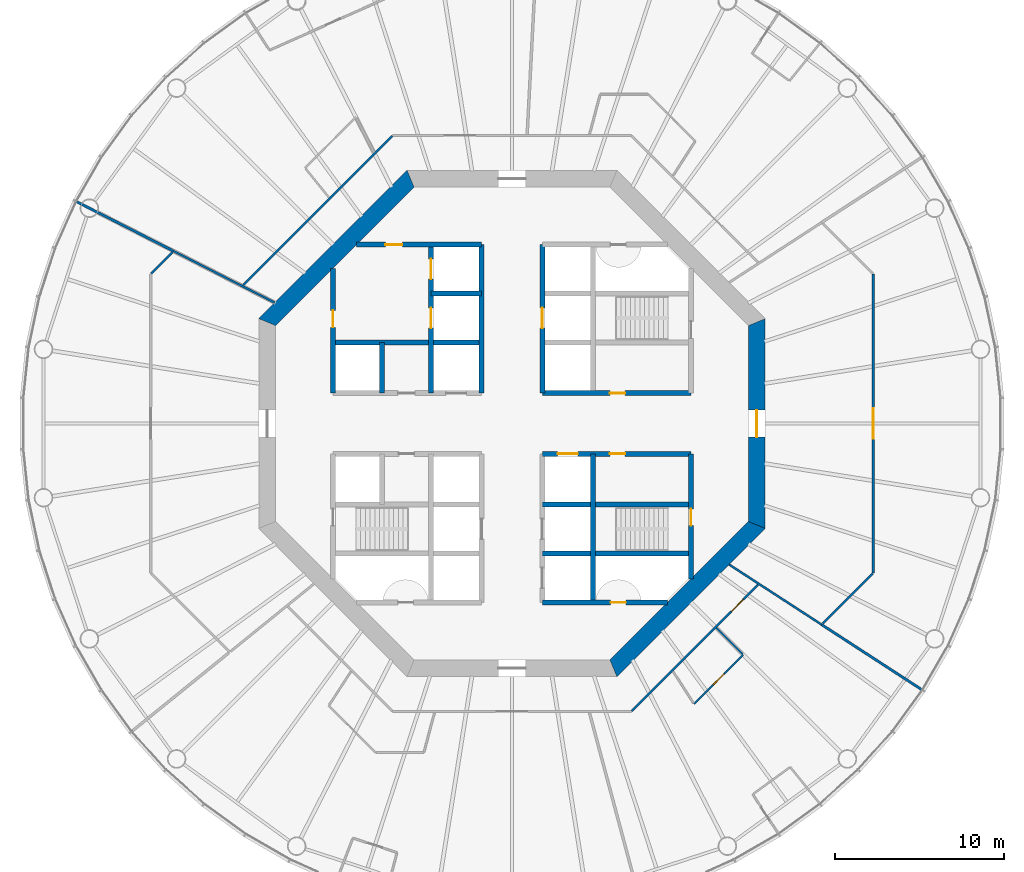
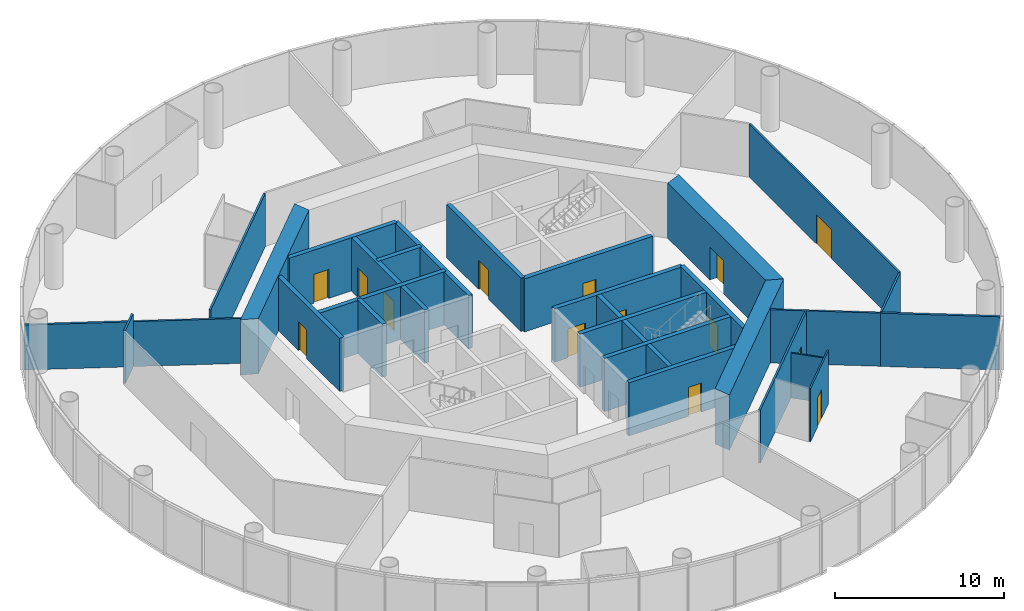
# One storey, part 4 of 13: 29 walls, 14 doors, 14 openings.
"""IFC4 building model written with IfcOpenShell, lengths in metres."""

from ifc_helpers import new_model, si_unit, direction, frame, frame_2d, origin, place, context, subcontext, project, spatial, polyline, rectangle, outline, extrude, material, layer, layer_set, type_object, element, fill, save


model = new_model("IFC4")

# Units and contexts
model_context = context("Model", 3, precision=1e-05, world=origin(), true_north=direction((0.0, 1.0)))
body_context = subcontext(model_context, "Body", "Model", "MODEL_VIEW")
ifc_project = project(units=[si_unit("LENGTHUNIT", "METRE"), si_unit("AREAUNIT", "SQUARE_METRE"), si_unit("VOLUMEUNIT", "CUBIC_METRE"), si_unit("PLANEANGLEUNIT", "RADIAN"), si_unit("MASSUNIT", "GRAM", prefix="KILO")], contexts=[model_context])

# Site, building, storey
site_placement = place(None, origin())
site = spatial("IfcSite", under=ifc_project, at=site_placement, CompositionType="ELEMENT")
building_placement = place(site_placement, origin())
building = spatial("IfcBuilding", under=site, at=building_placement, Name="Entoto Ring Tower", CompositionType="ELEMENT")
storey_placement = place(building_placement, frame((0.0, 0.0, 168.0)))
storey = spatial("IfcBuildingStorey", under=building, at=storey_placement, Name="L38", CompositionType="ELEMENT", Elevation=168.0)

# Wall, opening, door
ifc_material_1 = material(Name="Concrete C40/50", Category="concrete")
ifc_layer_1 = layer(ifc_material_1, 0.300048828125)
ifc_layer_set_1 = layer_set([ifc_layer_1], Name="Concrete C40/50")
wall_type_1 = type_object("IfcWallType", Name="Core enclosure wall 300 mm reinforced concrete", PredefinedType="SOLIDWALL", material=ifc_layer_set_1)
wall_1_placement = place(storey_placement, frame((100.60009765625, 70.801025390625, 0.0), z_axis=(0.0, 0.0, 1.0), x_axis=(0.0, 1.0, 0.0)))
wall_1 = element("IfcWall", 1, at=wall_1_placement, inside=storey, type_object=wall_type_1, Name="wall-L38-001", PredefinedType="SOLIDWALL", context=body_context, shape_type="SweptSolid", body=[
    extrude(rectangle(XDim=7.39892578125, YDim=0.300048828125, at=frame_2d((3.699462890625, 0.0))), origin(), (0.0, 0.0, 1.0), 3.85009765625),
])
opening_1_placement = place(wall_1_placement, frame((3.14892578125, 0.0, 0.0)))
opening_1 = element("IfcOpeningElement", 2, at=opening_1_placement, cuts=wall_1, Name="Opening K-17", PredefinedType="OPENING", context=body_context, shape_type="SweptSolid", body=[
    extrude(rectangle(XDim=1.0, YDim=2.10009765625, at=frame_2d((0.5, 1.050048828125))), frame((0.0, 0.16015625, 0.0), z_axis=(0.0, -1.0, 0.0), x_axis=(1.0, 0.0, 0.0)), (0.0, 0.0, 1.0), 0.320068359375),
])
ifc_material_2 = material(Name="Steel door leaf, fire rated", Category="steel")
ifc_layer_2 = layer(ifc_material_2, 0.050048828125)
ifc_layer_set_2 = layer_set([ifc_layer_2], Name="Steel door leaf, fire rated")
door_type_1 = type_object("IfcDoorType", Name="Fire door FD60 1000 x 2100 single leaf", OperationType="NOTDEFINED", PredefinedType="DOOR", material=ifc_layer_set_2)
door_1_placement = place(opening_1_placement, origin())
door_1 = element("IfcDoor", 3, at=door_1_placement, inside=storey, type_object=door_type_1, Name="Door K-17", OperationType="SINGLE_SWING_RIGHT", OverallHeight=2.10009765625, OverallWidth=1.0, PredefinedType="DOOR", context=body_context, shape_type="SweptSolid", body=[
    extrude(rectangle(XDim=1.0, YDim=2.10009765625, at=frame_2d((0.5, 1.050048828125))), frame((0.0, 0.02490234375, 0.0), z_axis=(0.0, -1.0, 0.0), x_axis=(1.0, 0.0, 0.0)), (0.0, 0.0, 1.0), 0.050048828125),
])
fill(opening_1, door_1)

# Wall
wall_2_placement = place(storey_placement, frame((94.800048828125, 69.39990234375, 0.0), z_axis=(0.0, 0.0, 1.0), x_axis=(0.0, 1.0, 0.0)))
element("IfcWall", 4, at=wall_2_placement, inside=storey, type_object=wall_type_1, Name="wall-L38-003", PredefinedType="SOLIDWALL", context=body_context, shape_type="SweptSolid", body=[
    extrude(rectangle(XDim=8.800048828125, YDim=0.300048828125, at=frame_2d((4.39990234375, 0.0))), origin(), (0.0, 0.0, 1.0), 3.85009765625),
])

# Wall, opening, door
wall_3_placement = place(storey_placement, frame((91.800048828125, 81.800048828125, 0.0), z_axis=(0.0, 0.0, 1.0), x_axis=(0.0, 1.0, 0.0)))
wall_3 = element("IfcWall", 5, at=wall_3_placement, inside=storey, type_object=wall_type_1, Name="wall-L38-006", PredefinedType="SOLIDWALL", context=body_context, shape_type="SweptSolid", body=[
    extrude(rectangle(XDim=8.800048828125, YDim=0.300048828125, at=frame_2d((4.39990234375, 0.0))), origin(), (0.0, 0.0, 1.0), 3.85009765625),
])
opening_2_placement = place(wall_3_placement, frame((3.85009765625, 0.0, 0.0)))
opening_2 = element("IfcOpeningElement", 6, at=opening_2_placement, cuts=wall_3, Name="Opening LD", PredefinedType="OPENING", context=body_context, shape_type="SweptSolid", body=[
    extrude(rectangle(XDim=1.199951171875, YDim=2.10009765625, at=frame_2d((0.60009765625, 1.050048828125))), frame((0.0, 0.16015625, 0.0), z_axis=(0.0, -1.0, 0.0), x_axis=(1.0, 0.0, 0.0)), (0.0, 0.0, 1.0), 0.320068359375),
])
ifc_material_3 = material(Name="Steel and glass door leaf", Category="steel")
ifc_layer_3 = layer(ifc_material_3, 0.050048828125)
ifc_layer_set_3 = layer_set([ifc_layer_3], Name="Steel and glass door leaf")
door_type_2 = type_object("IfcDoorType", Name="Landing door 1200 x 2100 sliding", OperationType="DOUBLE_DOOR_SLIDING", PredefinedType="DOOR", material=ifc_layer_set_3)
door_2_placement = place(opening_2_placement, origin())
door_2 = element("IfcDoor", 7, at=door_2_placement, inside=storey, type_object=door_type_2, Name="Landing door LB1-MR", OperationType="SLIDING_TO_RIGHT", OverallHeight=2.10009765625, OverallWidth=1.199951171875, PredefinedType="DOOR", context=body_context, shape_type="SweptSolid", body=[
    extrude(rectangle(XDim=1.199951171875, YDim=2.10009765625, at=frame_2d((0.60009765625, 1.050048828125))), frame((0.0, 0.02490234375, 0.0), z_axis=(0.0, -1.0, 0.0), x_axis=(1.0, 0.0, 0.0)), (0.0, 0.0, 1.0), 0.050048828125),
])
fill(opening_2, door_2)

# Wall
wall_4_placement = place(storey_placement, frame((88.199951171875, 81.800048828125, 0.0), z_axis=(0.0, 0.0, 1.0), x_axis=(0.0, 1.0, 0.0)))
element("IfcWall", 8, at=wall_4_placement, inside=storey, type_object=wall_type_1, Name="wall-L38-008", PredefinedType="SOLIDWALL", context=body_context, shape_type="SweptSolid", body=[
    extrude(rectangle(XDim=8.800048828125, YDim=0.300048828125, at=frame_2d((4.39990234375, 0.0))), origin(), (0.0, 0.0, 1.0), 3.85009765625),
])

# Wall, openings, doors
wall_5_placement = place(storey_placement, frame((85.199951171875, 81.800048828125, 0.0), z_axis=(0.0, 0.0, 1.0), x_axis=(0.0, 1.0, 0.0)))
wall_5 = element("IfcWall", 9, at=wall_5_placement, inside=storey, type_object=wall_type_1, Name="wall-L38-010", PredefinedType="SOLIDWALL", context=body_context, shape_type="SweptSolid", body=[
    extrude(rectangle(XDim=8.800048828125, YDim=0.300048828125, at=frame_2d((4.39990234375, 0.0))), origin(), (0.0, 0.0, 1.0), 3.85009765625),
])
opening_3_placement = place(wall_5_placement, frame((3.85009765625, 0.0, 0.0)))
opening_3 = element("IfcOpeningElement", 10, at=opening_3_placement, cuts=wall_5, Name="Opening LD", PredefinedType="OPENING", context=body_context, shape_type="SweptSolid", body=[
    extrude(rectangle(XDim=1.199951171875, YDim=2.10009765625, at=frame_2d((0.60009765625, 1.050048828125))), frame((0.0, 0.16015625, 0.0), z_axis=(0.0, -1.0, 0.0), x_axis=(1.0, 0.0, 0.0)), (0.0, 0.0, 1.0), 0.320068359375),
])
opening_4_placement = place(wall_5_placement, frame((6.75, 0.0, 0.0)))
opening_4 = element("IfcOpeningElement", 11, at=opening_4_placement, cuts=wall_5, Name="Opening LD", PredefinedType="OPENING", context=body_context, shape_type="SweptSolid", body=[
    extrude(rectangle(XDim=1.199951171875, YDim=2.10009765625, at=frame_2d((0.60009765625, 1.050048828125))), frame((0.0, 0.16015625, 0.0), z_axis=(0.0, -1.0, 0.0), x_axis=(1.0, 0.0, 0.0)), (0.0, 0.0, 1.0), 0.320068359375),
])
door_3_placement = place(opening_3_placement, origin())
door_3 = element("IfcDoor", 12, at=door_3_placement, inside=storey, type_object=door_type_2, Name="Landing door FF1", OperationType="SLIDING_TO_RIGHT", OverallHeight=2.10009765625, OverallWidth=1.199951171875, PredefinedType="DOOR", context=body_context, shape_type="SweptSolid", body=[
    extrude(rectangle(XDim=1.199951171875, YDim=2.10009765625, at=frame_2d((0.60009765625, 1.050048828125))), frame((0.0, 0.02490234375, 0.0), z_axis=(0.0, -1.0, 0.0), x_axis=(1.0, 0.0, 0.0)), (0.0, 0.0, 1.0), 0.050048828125),
])
fill(opening_3, door_3)
door_4_placement = place(opening_4_placement, origin())
door_4 = element("IfcDoor", 13, at=door_4_placement, inside=storey, type_object=door_type_2, Name="Landing door FF2", OperationType="SLIDING_TO_RIGHT", OverallHeight=2.10009765625, OverallWidth=1.199951171875, PredefinedType="DOOR", context=body_context, shape_type="SweptSolid", body=[
    extrude(rectangle(XDim=1.199951171875, YDim=2.10009765625, at=frame_2d((0.60009765625, 1.050048828125))), frame((0.0, 0.02490234375, 0.0), z_axis=(0.0, -1.0, 0.0), x_axis=(1.0, 0.0, 0.0)), (0.0, 0.0, 1.0), 0.050048828125),
])
fill(opening_4, door_4)

# Wall
wall_6_placement = place(storey_placement, frame((82.300048828125, 81.800048828125, 0.0), z_axis=(0.0, 0.0, 1.0), x_axis=(0.0, 1.0, 0.0)))
element("IfcWall", 14, at=wall_6_placement, inside=storey, type_object=wall_type_1, Name="wall-L38-012", PredefinedType="SOLIDWALL", context=body_context, shape_type="SweptSolid", body=[
    extrude(rectangle(XDim=3.0, YDim=0.300048828125, at=frame_2d((1.5, 0.0))), origin(), (0.0, 0.0, 1.0), 3.85009765625),
])

# Wall, opening, door
wall_7_placement = place(storey_placement, frame((79.39990234375, 81.800048828125, 0.0), z_axis=(0.0, 0.0, 1.0), x_axis=(0.0, 1.0, 0.0)))
wall_7 = element("IfcWall", 15, at=wall_7_placement, inside=storey, type_object=wall_type_1, Name="wall-L38-014", PredefinedType="SOLIDWALL", context=body_context, shape_type="SweptSolid", body=[
    extrude(rectangle(XDim=7.39892578125, YDim=0.300048828125, at=frame_2d((3.699462890625, 0.0))), origin(), (0.0, 0.0, 1.0), 3.85009765625),
])
opening_5_placement = place(wall_7_placement, frame((3.89990234375, 0.0, 0.0)))
opening_5 = element("IfcOpeningElement", 16, at=opening_5_placement, cuts=wall_7, Name="Opening K-67", PredefinedType="OPENING", context=body_context, shape_type="SweptSolid", body=[
    extrude(rectangle(XDim=1.0, YDim=2.10009765625, at=frame_2d((0.5, 1.050048828125))), frame((0.0, 0.16015625, 0.0), z_axis=(0.0, -1.0, 0.0), x_axis=(1.0, 0.0, 0.0)), (0.0, 0.0, 1.0), 0.320068359375),
])
door_5_placement = place(opening_5_placement, frame((1.0, 0.0, 0.0), z_axis=(0.0, 0.0, 1.0), x_axis=(-1.0, 0.0, 0.0)))
door_5 = element("IfcDoor", 17, at=door_5_placement, inside=storey, type_object=door_type_1, Name="Door K-67", OperationType="SINGLE_SWING_RIGHT", OverallHeight=2.10009765625, OverallWidth=1.0, PredefinedType="DOOR", context=body_context, shape_type="SweptSolid", body=[
    extrude(rectangle(XDim=1.0, YDim=2.10009765625, at=frame_2d((0.5, 1.050048828125))), frame((0.0, 0.02490234375, 0.0), z_axis=(0.0, -1.0, 0.0), x_axis=(1.0, 0.0, 0.0)), (0.0, 0.0, 1.0), 0.050048828125),
])
fill(opening_5, door_5)

wall_8_placement = place(storey_placement, frame((91.800048828125, 69.39990234375, 0.0), z_axis=(0.0, 0.0, 1.0), x_axis=(1.0, 0.0, 0.0)))
wall_8 = element("IfcWall", 18, at=wall_8_placement, inside=storey, type_object=wall_type_1, Name="wall-L38-016", PredefinedType="SOLIDWALL", context=body_context, shape_type="SweptSolid", body=[
    extrude(rectangle(XDim=7.39892578125, YDim=0.300048828125, at=frame_2d((3.699462890625, 0.0))), origin(), (0.0, 0.0, 1.0), 3.85009765625),
])
opening_6_placement = place(wall_8_placement, frame((4.050048828125, 0.0, 0.0)))
opening_6 = element("IfcOpeningElement", 19, at=opening_6_placement, cuts=wall_8, Name="Opening K-20", PredefinedType="OPENING", context=body_context, shape_type="SweptSolid", body=[
    extrude(rectangle(XDim=0.89990234375, YDim=2.10009765625, at=frame_2d((0.449951171875, 1.050048828125))), frame((0.0, 0.16015625, 0.0), z_axis=(0.0, -1.0, 0.0), x_axis=(1.0, 0.0, 0.0)), (0.0, 0.0, 1.0), 0.320068359375),
])
ifc_material_4 = material(Name="Steel door leaf, fire rated", Category="steel")
ifc_layer_4 = layer(ifc_material_4, 0.050048828125)
ifc_layer_set_4 = layer_set([ifc_layer_4], Name="Steel door leaf, fire rated")
door_type_3 = type_object("IfcDoorType", Name="Riser door FD60 900 x 2100 single leaf", OperationType="NOTDEFINED", PredefinedType="DOOR", material=ifc_layer_set_4)
door_6_placement = place(opening_6_placement, origin())
door_6 = element("IfcDoor", 20, at=door_6_placement, inside=storey, type_object=door_type_3, Name="Door K-20", OperationType="SINGLE_SWING_LEFT", OverallHeight=2.10009765625, OverallWidth=0.89990234375, PredefinedType="DOOR", context=body_context, shape_type="SweptSolid", body=[
    extrude(rectangle(XDim=0.89990234375, YDim=2.10009765625, at=frame_2d((0.449951171875, 1.050048828125))), frame((0.0, 0.02490234375, 0.0), z_axis=(0.0, -1.0, 0.0), x_axis=(1.0, 0.0, 0.0)), (0.0, 0.0, 1.0), 0.050048828125),
])
fill(opening_6, door_6)

# Walls
for number, where, z_axis, x_axis, name in (
    (21, (91.800048828125, 72.300048828125, 0.0), (0.0, 0.0, 1.0), (1.0, 0.0, 0.0), "wall-L38-018"),
    (22, (91.800048828125, 75.199951171875, 0.0), (0.0, 0.0, 1.0), (1.0, 0.0, 0.0), "wall-L38-020"),
):
    element("IfcWall", number, at=place(storey_placement, frame(where, z_axis=z_axis, x_axis=x_axis)), inside=storey, type_object=wall_type_1, Name=name, PredefinedType="SOLIDWALL", context=body_context, shape_type="SweptSolid", body=[
        extrude(rectangle(XDim=8.800048828125, YDim=0.300048828125, at=frame_2d((4.39990234375, 0.0))), origin(), (0.0, 0.0, 1.0), 3.85009765625),
    ])

# Wall, openings, doors
wall_9_placement = place(storey_placement, frame((91.800048828125, 78.199951171875, 0.0), z_axis=(0.0, 0.0, 1.0), x_axis=(1.0, 0.0, 0.0)))
wall_9 = element("IfcWall", 23, at=wall_9_placement, inside=storey, type_object=wall_type_1, Name="wall-L38-022", PredefinedType="SOLIDWALL", context=body_context, shape_type="SweptSolid", body=[
    extrude(rectangle(XDim=8.800048828125, YDim=0.300048828125, at=frame_2d((4.39990234375, 0.0))), origin(), (0.0, 0.0, 1.0), 3.85009765625),
])
opening_7_placement = place(wall_9_placement, frame((0.89990234375, 0.0, 0.0)))
opening_7 = element("IfcOpeningElement", 24, at=opening_7_placement, cuts=wall_9, Name="Opening LD", PredefinedType="OPENING", context=body_context, shape_type="SweptSolid", body=[
    extrude(rectangle(XDim=1.199951171875, YDim=2.10009765625, at=frame_2d((0.60009765625, 1.050048828125))), frame((0.0, 0.16015625, 0.0), z_axis=(0.0, -1.0, 0.0), x_axis=(1.0, 0.0, 0.0)), (0.0, 0.0, 1.0), 0.320068359375),
])
opening_8_placement = place(wall_9_placement, frame((4.0, 0.0, 0.0)))
opening_8 = element("IfcOpeningElement", 25, at=opening_8_placement, cuts=wall_9, Name="Opening K-12", PredefinedType="OPENING", context=body_context, shape_type="SweptSolid", body=[
    extrude(rectangle(XDim=0.89990234375, YDim=2.10009765625, at=frame_2d((0.449951171875, 1.050048828125))), frame((0.0, 0.16015625, 0.0), z_axis=(0.0, -1.0, 0.0), x_axis=(1.0, 0.0, 0.0)), (0.0, 0.0, 1.0), 0.320068359375),
])
ifc_material_5 = material(Name="Steel door leaf, fire rated", Category="steel")
ifc_layer_5 = layer(ifc_material_5, 0.050048828125)
ifc_layer_set_5 = layer_set([ifc_layer_5], Name="Steel door leaf, fire rated")
door_type_4 = type_object("IfcDoorType", Name="Core door 900 x 2100 single leaf", OperationType="NOTDEFINED", PredefinedType="DOOR", material=ifc_layer_set_5)
door_7_placement = place(opening_8_placement, frame((0.89990234375, 0.0, 0.0), z_axis=(0.0, 0.0, 1.0), x_axis=(-1.0, 0.0, 0.0)))
door_7 = element("IfcDoor", 26, at=door_7_placement, inside=storey, type_object=door_type_4, Name="Door K-12", OperationType="SINGLE_SWING_RIGHT", OverallHeight=2.10009765625, OverallWidth=0.89990234375, PredefinedType="DOOR", context=body_context, shape_type="SweptSolid", body=[
    extrude(rectangle(XDim=0.89990234375, YDim=2.10009765625, at=frame_2d((0.449951171875, 1.050048828125))), frame((0.0, 0.02490234375, 0.0), z_axis=(0.0, -1.0, 0.0), x_axis=(1.0, 0.0, 0.0)), (0.0, 0.0, 1.0), 0.050048828125),
])
fill(opening_8, door_7)
door_8_placement = place(opening_7_placement, origin())
door_8 = element("IfcDoor", 27, at=door_8_placement, inside=storey, type_object=door_type_2, Name="Landing door LB6-MR", OperationType="SLIDING_TO_LEFT", OverallHeight=2.10009765625, OverallWidth=1.199951171875, PredefinedType="DOOR", context=body_context, shape_type="SweptSolid", body=[
    extrude(rectangle(XDim=1.199951171875, YDim=2.10009765625, at=frame_2d((0.60009765625, 1.050048828125))), frame((0.0, 0.02490234375, 0.0), z_axis=(0.0, -1.0, 0.0), x_axis=(1.0, 0.0, 0.0)), (0.0, 0.0, 1.0), 0.050048828125),
])
fill(opening_7, door_8)

# Wall, opening, door
wall_10_placement = place(storey_placement, frame((91.800048828125, 81.800048828125, 0.0), z_axis=(0.0, 0.0, 1.0), x_axis=(1.0, 0.0, 0.0)))
wall_10 = element("IfcWall", 28, at=wall_10_placement, inside=storey, type_object=wall_type_1, Name="wall-L38-024", PredefinedType="SOLIDWALL", context=body_context, shape_type="SweptSolid", body=[
    extrude(rectangle(XDim=8.800048828125, YDim=0.300048828125, at=frame_2d((4.39990234375, 0.0))), origin(), (0.0, 0.0, 1.0), 3.85009765625),
])
opening_9_placement = place(wall_10_placement, frame((4.0, 0.0, 0.0)))
opening_9 = element("IfcOpeningElement", 29, at=opening_9_placement, cuts=wall_10, Name="Opening K-11", PredefinedType="OPENING", context=body_context, shape_type="SweptSolid", body=[
    extrude(rectangle(XDim=0.89990234375, YDim=2.10009765625, at=frame_2d((0.449951171875, 1.050048828125))), frame((0.0, 0.16015625, 0.0), z_axis=(0.0, -1.0, 0.0), x_axis=(1.0, 0.0, 0.0)), (0.0, 0.0, 1.0), 0.320068359375),
])
door_9_placement = place(opening_9_placement, origin())
door_9 = element("IfcDoor", 30, at=door_9_placement, inside=storey, type_object=door_type_4, Name="Door K-11", OperationType="SINGLE_SWING_LEFT", OverallHeight=2.10009765625, OverallWidth=0.89990234375, PredefinedType="DOOR", context=body_context, shape_type="SweptSolid", body=[
    extrude(rectangle(XDim=0.89990234375, YDim=2.10009765625, at=frame_2d((0.449951171875, 1.050048828125))), frame((0.0, 0.02490234375, 0.0), z_axis=(0.0, -1.0, 0.0), x_axis=(1.0, 0.0, 0.0)), (0.0, 0.0, 1.0), 0.050048828125),
])
fill(opening_9, door_9)

# Walls
wall_11_placement = place(storey_placement, frame((79.39990234375, 84.800048828125, 0.0), z_axis=(0.0, 0.0, 1.0), x_axis=(1.0, 0.0, 0.0)))
element("IfcWall", 31, at=wall_11_placement, inside=storey, type_object=wall_type_1, Name="wall-L38-025", PredefinedType="SOLIDWALL", context=body_context, shape_type="SweptSolid", body=[
    extrude(rectangle(XDim=8.800048828125, YDim=0.300048828125, at=frame_2d((4.39990234375, 0.0))), origin(), (0.0, 0.0, 1.0), 3.85009765625),
])
wall_12_placement = place(storey_placement, frame((85.199951171875, 87.699951171875, 0.0), z_axis=(0.0, 0.0, 1.0), x_axis=(1.0, 0.0, 0.0)))
element("IfcWall", 32, at=wall_12_placement, inside=storey, type_object=wall_type_1, Name="wall-L38-027", PredefinedType="SOLIDWALL", context=body_context, shape_type="SweptSolid", body=[
    extrude(rectangle(XDim=3.0, YDim=0.300048828125, at=frame_2d((1.5, 0.0))), origin(), (0.0, 0.0, 1.0), 3.85009765625),
])

# Wall, opening, door
wall_13_placement = place(storey_placement, frame((80.801025390625, 90.60009765625, 0.0), z_axis=(0.0, 0.0, 1.0), x_axis=(1.0, 0.0, 0.0)))
wall_13 = element("IfcWall", 33, at=wall_13_placement, inside=storey, type_object=wall_type_1, Name="wall-L38-029", PredefinedType="SOLIDWALL", context=body_context, shape_type="SweptSolid", body=[
    extrude(rectangle(XDim=7.39892578125, YDim=0.300048828125, at=frame_2d((3.699462890625, 0.0))), origin(), (0.0, 0.0, 1.0), 3.85009765625),
])
opening_10_placement = place(wall_13_placement, frame((1.698974609375, 0.0, 0.0)))
opening_10 = element("IfcOpeningElement", 34, at=opening_10_placement, cuts=wall_13, Name="Opening K-22", PredefinedType="OPENING", context=body_context, shape_type="SweptSolid", body=[
    extrude(rectangle(XDim=1.0, YDim=2.10009765625, at=frame_2d((0.5, 1.050048828125))), frame((0.0, 0.16015625, 0.0), z_axis=(0.0, -1.0, 0.0), x_axis=(1.0, 0.0, 0.0)), (0.0, 0.0, 1.0), 0.320068359375),
])
door_10_placement = place(opening_10_placement, frame((1.0, 0.0, 0.0), z_axis=(0.0, 0.0, 1.0), x_axis=(-1.0, 0.0, 0.0)))
door_10 = element("IfcDoor", 35, at=door_10_placement, inside=storey, type_object=door_type_1, Name="Door K-22", OperationType="SINGLE_SWING_LEFT", OverallHeight=2.10009765625, OverallWidth=1.0, PredefinedType="DOOR", context=body_context, shape_type="SweptSolid", body=[
    extrude(rectangle(XDim=1.0, YDim=2.10009765625, at=frame_2d((0.5, 1.050048828125))), frame((0.0, 0.02490234375, 0.0), z_axis=(0.0, -1.0, 0.0), x_axis=(1.0, 0.0, 0.0)), (0.0, 0.0, 1.0), 0.050048828125),
])
fill(opening_10, door_10)

ifc_material_6 = material(Name="Concrete C50/60", Category="concrete")
ifc_layer_6 = layer(ifc_material_6, 1.0)
ifc_layer_set_6 = layer_set([ifc_layer_6], Name="Concrete C50/60")
wall_type_2 = type_object("IfcWallType", Name="Core shear wall 1000 mm reinforced concrete C50/60", PredefinedType="SHEAR", material=ifc_layer_set_6)
wall_14_placement = place(storey_placement, frame((104.5, 73.993896484375, 0.0), z_axis=(0.0, 0.0, 1.0), x_axis=(0.0, 1.0, 0.0)))
wall_14 = element("IfcWall", 36, at=wall_14_placement, inside=storey, type_object=wall_type_2, Name="wall-L38-core-0", PredefinedType="SHEAR", context=body_context, shape_type="SweptSolid", body=[
    extrude(outline(polyline([(-0.20703125, -0.5), (12.21923828125, -0.5), (11.80517578125, 0.5), (0.20703125, 0.5), (-0.20703125, -0.5)])), origin(), (0.0, 0.0, 1.0), 4.0),
])
opening_11_placement = place(wall_14_placement, frame((5.2060546875, 0.0, 0.0)))
opening_11 = element("IfcOpeningElement", 37, at=opening_11_placement, cuts=wall_14, Name="Opening K-01", PredefinedType="OPENING", context=body_context, shape_type="SweptSolid", body=[
    extrude(rectangle(XDim=1.60009765625, YDim=2.39990234375, at=frame_2d((0.800048828125, 1.199951171875))), frame((0.0, 0.510009765625, 0.0), z_axis=(0.0, -1.0, 0.0), x_axis=(1.0, 0.0, 0.0)), (0.0, 0.0, 1.0), 1.02001953125),
])
ifc_material_7 = material(Name="Steel door leaf, fire rated", Category="steel")
ifc_layer_7 = layer(ifc_material_7, 0.050048828125)
ifc_layer_set_7 = layer_set([ifc_layer_7], Name="Steel door leaf, fire rated")
door_type_5 = type_object("IfcDoorType", Name="Entrance door FD60 1600 x 2400 double leaf", OperationType="DOUBLE_DOOR_SINGLE_SWING", PredefinedType="DOOR", material=ifc_layer_set_7)
door_11_placement = place(opening_11_placement, origin())
door_11 = element("IfcDoor", 38, at=door_11_placement, inside=storey, type_object=door_type_5, Name="Entrance door K-01", OperationType="DOUBLE_DOOR_SINGLE_SWING", OverallHeight=2.39990234375, OverallWidth=1.60009765625, PredefinedType="DOOR", context=body_context, shape_type="SweptSolid", body=[
    extrude(rectangle(XDim=1.60009765625, YDim=2.39990234375, at=frame_2d((0.800048828125, 1.199951171875))), frame((0.0, 0.02490234375, 0.0), z_axis=(0.0, -1.0, 0.0), x_axis=(1.0, 0.0, 0.0)), (0.0, 0.0, 1.0), 0.050048828125),
])
fill(opening_11, door_11)

# Walls
for number, where, z_axis, x_axis, name in (
    (39, (83.993896484375, 94.5, 0.0), (0.0, 0.0, 1.0), (-0.707106781187, -0.707106781187, 0.0), "wall-L38-core-3"),
    (40, (96.006103515625, 65.5, 0.0), (0.0, 0.0, 1.0), (0.707106781187, 0.707106781187, 0.0), "wall-L38-core-7"),
):
    element("IfcWall", number, at=place(storey_placement, frame(where, z_axis=z_axis, x_axis=x_axis)), inside=storey, type_object=wall_type_2, Name=name, PredefinedType="SHEAR", context=body_context, shape_type="SweptSolid", body=[
        extrude(outline(polyline([(-0.20703125, -0.5), (12.21923828125, -0.5), (11.80517578125, 0.5), (0.20703125, 0.5), (-0.20703125, -0.5)])), origin(), (0.0, 0.0, 1.0), 4.0),
    ])

# Wall, opening, door
ifc_material_8 = material(Name="Fire-resisting plasterboard on steel studs", Category="steel")
ifc_layer_8 = layer(ifc_material_8, 0.125)
ifc_layer_set_8 = layer_set([ifc_layer_8], Name="Fire-resisting plasterboard on steel studs")
wall_type_3 = type_object("IfcWallType", Name="Corridor wall 125 mm one-hour plasterboard on steel studs", PredefinedType="PARTITIONING", material=ifc_layer_set_8)
wall_15_placement = place(storey_placement, frame((111.39990234375, 71.1357421875, 0.0), z_axis=(0.0, 0.0, 1.0), x_axis=(0.0, 1.0, 0.0)))
wall_15 = element("IfcWall", 41, at=wall_15_placement, inside=storey, type_object=wall_type_3, Name="partition-L38-002", PredefinedType="PARTITIONING", context=body_context, shape_type="SweptSolid", body=[
    extrude(rectangle(XDim=17.728515625, YDim=0.125, at=frame_2d((8.8642578125, 0.0))), origin(), (0.0, 0.0, 1.0), 3.85009765625),
])
opening_12_placement = place(wall_15_placement, frame((7.964111328125, 0.0, 0.0)))
opening_12 = element("IfcOpeningElement", 42, at=opening_12_placement, cuts=wall_15, Name="Opening A17-D01", PredefinedType="OPENING", context=body_context, shape_type="SweptSolid", body=[
    extrude(rectangle(XDim=1.800048828125, YDim=2.10009765625, at=frame_2d((0.89990234375, 1.050048828125))), frame((0.0, 0.072509765625, 0.0), z_axis=(0.0, -1.0, 0.0), x_axis=(1.0, 0.0, 0.0)), (0.0, 0.0, 1.0), 0.14501953125),
])
ifc_material_9 = material(Name="Fire-resisting timber door set", Category="wood")
door_type_6 = type_object("IfcDoorType", Name="Door 1800 x 2100 double leaf FD30S fire door", OperationType="DOUBLE_DOOR_SINGLE_SWING", PredefinedType="DOOR", material=ifc_material_9)
door_12_placement = place(opening_12_placement, frame((1.800048828125, 0.0, 0.0), z_axis=(0.0, 0.0, 1.0), x_axis=(-1.0, 0.0, 0.0)))
door_12 = element("IfcDoor", 43, at=door_12_placement, inside=storey, type_object=door_type_6, Name="Door A17-D01", OperationType="DOUBLE_DOOR_SINGLE_SWING", OverallHeight=2.10009765625, OverallWidth=1.800048828125, PredefinedType="DOOR", context=body_context, shape_type="SweptSolid", body=[
    extrude(rectangle(XDim=1.800048828125, YDim=2.10009765625, at=frame_2d((0.89990234375, 1.050048828125))), frame((0.0, 0.02490234375, 0.0), z_axis=(0.0, -1.0, 0.0), x_axis=(1.0, 0.0, 0.0)), (0.0, 0.0, 1.0), 0.050048828125),
])
fill(opening_12, door_12)

# Wall
wall_16_placement = place(storey_placement, frame((74.075439453125, 88.20556640625, 0.0), z_axis=(0.0, 0.0, 1.0), x_axis=(0.707106781187, 0.707106781187, 0.0)))
element("IfcWall", 44, at=wall_16_placement, inside=storey, type_object=wall_type_3, Name="partition-L38-005", PredefinedType="PARTITIONING", context=body_context, shape_type="SweptSolid", body=[
    extrude(rectangle(XDim=12.481689453125, YDim=0.125, at=frame_2d((6.24072265625, 0.0))), origin(), (0.0, 0.0, 1.0), 3.85009765625),
])

# Wall, opening, door
wall_17_placement = place(storey_placement, frame((97.0986328125, 62.968505859375, 0.0), z_axis=(0.0, 0.0, 1.0), x_axis=(0.707095235926, 0.707118326258, 0.0)))
wall_17 = element("IfcWall", 45, at=wall_17_placement, inside=storey, type_object=wall_type_3, Name="partition-L38-006", PredefinedType="PARTITIONING", context=body_context, shape_type="SweptSolid", body=[
    extrude(rectangle(XDim=10.5732421875, YDim=0.125, at=frame_2d((5.28662109375, 0.0))), origin(), (0.0, 0.0, 1.0), 3.85009765625),
])
opening_13_placement = place(wall_17_placement, frame((8.3369140625, 0.0, 0.0)))
opening_13 = element("IfcOpeningElement", 46, at=opening_13_placement, cuts=wall_17, Name="Opening A17-D12", PredefinedType="OPENING", context=body_context, shape_type="SweptSolid", body=[
    extrude(rectangle(XDim=1.0, YDim=2.10009765625, at=frame_2d((0.5, 1.050048828125))), frame((0.0, 0.072509765625, 0.0), z_axis=(0.0, -1.0, 0.0), x_axis=(1.0, 0.0, 0.0)), (0.0, 0.0, 1.0), 0.14501953125),
])
ifc_material_10 = material(Name="Fire-resisting timber door set", Category="wood")
door_type_7 = type_object("IfcDoorType", Name="Door 1000 x 2100 single leaf FD30S fire door", OperationType="NOTDEFINED", PredefinedType="DOOR", material=ifc_material_10)
door_13_placement = place(opening_13_placement, frame((1.0, 0.0, 0.0), z_axis=(0.0, 0.0, 1.0), x_axis=(-1.0, 0.0, 0.0)))
door_13 = element("IfcDoor", 47, at=door_13_placement, inside=storey, type_object=door_type_7, Name="Door A17-D12", OperationType="SINGLE_SWING_RIGHT", OverallHeight=2.10009765625, OverallWidth=1.0, PredefinedType="DOOR", context=body_context, shape_type="SweptSolid", body=[
    extrude(rectangle(XDim=1.0, YDim=2.10009765625, at=frame_2d((0.5, 1.050048828125))), frame((0.0, 0.02490234375, 0.0), z_axis=(0.0, -1.0, 0.0), x_axis=(1.0, 0.0, 0.0)), (0.0, 0.0, 1.0), 0.050048828125),
])
fill(opening_13, door_13)

# Walls
wall_18_placement = place(storey_placement, frame((108.348388671875, 68.084228515625, 0.0), z_axis=(0.0, 0.0, 1.0), x_axis=(-0.838654973698, 0.544663047298, 0.0)))
element("IfcWall", 48, at=wall_18_placement, inside=storey, type_object=wall_type_3, Name="partition-L38-012", PredefinedType="PARTITIONING", context=body_context, shape_type="SweptSolid", body=[
    extrude(rectangle(XDim=6.54296875, YDim=0.125, at=frame_2d((3.271484375, 0.0))), origin(), (0.0, 0.0, 1.0), 3.85009765625),
])
wall_19_placement = place(storey_placement, frame((108.412109375, 68.14794921875, 0.0), z_axis=(0.0, 0.0, 1.0), x_axis=(0.707106781187, 0.707106781187, 0.0)))
element("IfcWall", 49, at=wall_19_placement, inside=storey, type_object=wall_type_3, Name="partition-L38-014", PredefinedType="PARTITIONING", context=body_context, shape_type="SweptSolid", body=[
    extrude(rectangle(XDim=4.181640625, YDim=0.125, at=frame_2d((2.0908203125, 0.0))), origin(), (0.0, 0.0, 1.0), 3.85009765625),
])
wall_20_placement = place(storey_placement, frame((68.631103515625, 88.895263671875, 0.0), z_axis=(0.0, 0.0, 1.0), x_axis=(0.707037731162, 0.707175824469, 0.0)))
element("IfcWall", 50, at=wall_20_placement, inside=storey, type_object=wall_type_3, Name="partition-L38-016", PredefinedType="PARTITIONING", context=body_context, shape_type="SweptSolid", body=[
    extrude(rectangle(XDim=1.767822265625, YDim=0.125, at=frame_2d((0.8837890625, 0.0))), origin(), (0.0, 0.0, 1.0), 3.85009765625),
])
ifc_material_11 = material(Name="Fire-resisting plasterboard on steel studs", Category="steel")
ifc_layer_9 = layer(ifc_material_11, 0.125)
ifc_layer_set_9 = layer_set([ifc_layer_9], Name="Fire-resisting plasterboard on steel studs")
wall_type_4 = type_object("IfcWallType", Name="Corridor wall 125 mm one-hour plasterboard on steel studs, 3250 mm high", PredefinedType="PARTITIONING", material=ifc_layer_set_9)
wall_21_placement = place(storey_placement, frame((75.947021484375, 87.160400390625, 0.0), z_axis=(0.0, 0.0, 1.0), x_axis=(-0.891012915606, 0.453977955657, 0.0)))
element("IfcWall", 51, at=wall_21_placement, inside=storey, type_object=wall_type_4, Name="partition-L38-009", PredefinedType="PARTITIONING", context=body_context, shape_type="SweptSolid", body=[
    extrude(rectangle(XDim=6.729248046875, YDim=0.125, at=frame_2d((3.36474609375, 0.0))), origin(), (0.0, 0.0, 1.0), 3.25),
])

# Wall, opening, door
ifc_material_12 = material(Name="Plasterboard on steel studs", Category="steel")
ifc_layer_10 = layer(ifc_material_12, 0.10009765625)
ifc_layer_set_10 = layer_set([ifc_layer_10], Name="Plasterboard on steel studs")
wall_type_5 = type_object("IfcWallType", Name="Partition 100 mm plasterboard on steel studs", PredefinedType="PARTITIONING", material=ifc_layer_set_10)
wall_22_placement = place(storey_placement, frame((100.78662109375, 63.389892578125, 0.0), z_axis=(0.0, 0.0, 1.0), x_axis=(0.707136424919, 0.707077136211, 0.0)))
wall_22 = element("IfcWall", 52, at=wall_22_placement, inside=storey, type_object=wall_type_5, Name="partition-L38-025", PredefinedType="PARTITIONING", context=body_context, shape_type="SweptSolid", body=[
    extrude(rectangle(XDim=4.117919921875, YDim=0.10009765625, at=frame_2d((2.05908203125, 0.0))), origin(), (0.0, 0.0, 1.0), 3.85009765625),
])
opening_14_placement = place(wall_22_placement, frame((1.60888671875, 0.0, 0.0)))
opening_14 = element("IfcOpeningElement", 53, at=opening_14_placement, cuts=wall_22, Name="Opening A17-D13", PredefinedType="OPENING", context=body_context, shape_type="SweptSolid", body=[
    extrude(rectangle(XDim=0.89990234375, YDim=2.10009765625, at=frame_2d((0.449951171875, 1.050048828125))), frame((0.0, 0.06005859375, 0.0), z_axis=(0.0, -1.0, 0.0), x_axis=(1.0, 0.0, 0.0)), (0.0, 0.0, 1.0), 0.1201171875),
])
ifc_material_13 = material(Name="Veneered timber door leaf in timber frame", Category="wood")
door_type_8 = type_object("IfcDoorType", Name="Door 900 x 2100 single leaf timber veneer", OperationType="NOTDEFINED", PredefinedType="DOOR", material=ifc_material_13)
door_14_placement = place(opening_14_placement, origin())
door_14 = element("IfcDoor", 54, at=door_14_placement, inside=storey, type_object=door_type_8, Name="Door A17-D13", OperationType="SINGLE_SWING_LEFT", OverallHeight=2.10009765625, OverallWidth=0.89990234375, PredefinedType="DOOR", context=body_context, shape_type="SweptSolid", body=[
    extrude(rectangle(XDim=0.89990234375, YDim=2.10009765625, at=frame_2d((0.449951171875, 1.050048828125))), frame((0.0, 0.02490234375, 0.0), z_axis=(0.0, -1.0, 0.0), x_axis=(1.0, 0.0, 0.0)), (0.0, 0.0, 1.0), 0.050048828125),
])
fill(opening_14, door_14)

# Walls
ifc_material_14 = material(Name="Plasterboard on steel studs", Category="steel")
ifc_layer_11 = layer(ifc_material_14, 0.10009765625)
ifc_layer_set_11 = layer_set([ifc_layer_11], Name="Plasterboard on steel studs")
wall_type_6 = type_object("IfcWallType", Name="Partition 100 mm plasterboard on steel studs, 3250 mm high", PredefinedType="PARTITIONING", material=ifc_layer_set_11)
wall_23_placement = place(storey_placement, frame((103.6630859375, 66.3369140625, 0.0), z_axis=(0.0, 0.0, 1.0), x_axis=(-0.707106781187, 0.707106781187, 0.0)))
element("IfcWall", 55, at=wall_23_placement, inside=storey, type_object=wall_type_6, Name="partition-L38-048", PredefinedType="PARTITIONING", context=body_context, shape_type="SweptSolid", body=[
    extrude(rectangle(XDim=2.197265625, YDim=0.10009765625, at=frame_2d((1.0986328125, 0.0))), origin(), (0.0, 0.0, 1.0), 3.25),
])
ifc_material_15 = material(Name="Fire-resisting acoustic plasterboard on steel studs", Category="steel")
ifc_layer_12 = layer(ifc_material_15, 0.14990234375)
ifc_layer_set_12 = layer_set([ifc_layer_12], Name="Fire-resisting acoustic plasterboard on steel studs")
wall_type_7 = type_object("IfcWallType", Name="Party wall 150 mm one-hour acoustic plasterboard on steel studs", PredefinedType="PARTITIONING", material=ifc_layer_set_12)
wall_24_placement = place(storey_placement, frame((114.27099609375, 64.238037109375, 0.0), z_axis=(0.0, 0.0, 1.0), x_axis=(-0.838670233223, 0.544639550443, 0.0)))
element("IfcWall", 56, at=wall_24_placement, inside=storey, type_object=wall_type_7, Name="partition-L38-020", PredefinedType="PARTITIONING", context=body_context, shape_type="SweptSolid", body=[
    extrude(rectangle(XDim=7.06201171875, YDim=0.14990234375, at=frame_2d((3.531005859375, 0.0))), origin(), (0.0, 0.0, 1.0), 3.85009765625),
])
ifc_material_16 = material(Name="Fire-resisting acoustic plasterboard on steel studs", Category="steel")
ifc_layer_13 = layer(ifc_material_16, 0.14990234375)
ifc_layer_set_13 = layer_set([ifc_layer_13], Name="Fire-resisting acoustic plasterboard on steel studs")
wall_type_8 = type_object("IfcWallType", Name="Party wall 150 mm one-hour acoustic plasterboard on steel studs, 3250 mm high", PredefinedType="PARTITIONING", material=ifc_layer_set_13)
wall_25_placement = place(storey_placement, frame((69.951171875, 90.21533203125, 0.0), z_axis=(0.0, 0.0, 1.0), x_axis=(-0.891003901517, 0.453995646985, 0.0)))
element("IfcWall", 57, at=wall_25_placement, inside=storey, type_object=wall_type_8, Name="partition-L38-022", PredefinedType="PARTITIONING", context=body_context, shape_type="SweptSolid", body=[
    extrude(rectangle(XDim=6.4384765625, YDim=0.14990234375, at=frame_2d((3.21923828125, 0.0))), origin(), (0.0, 0.0, 1.0), 3.25),
])

save(model, "model.ifc")
